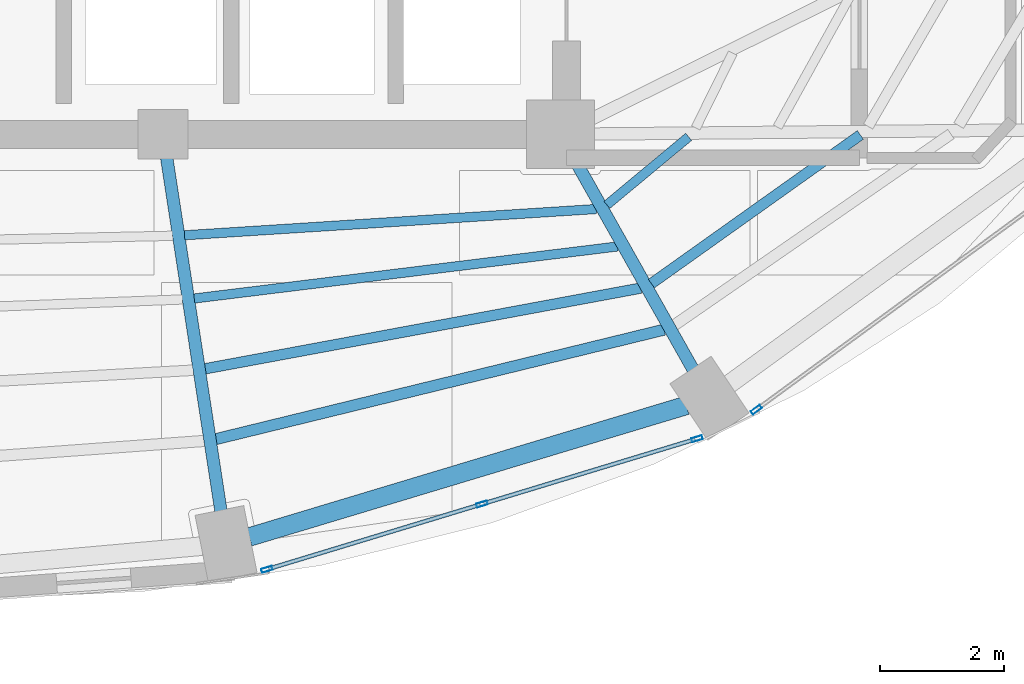
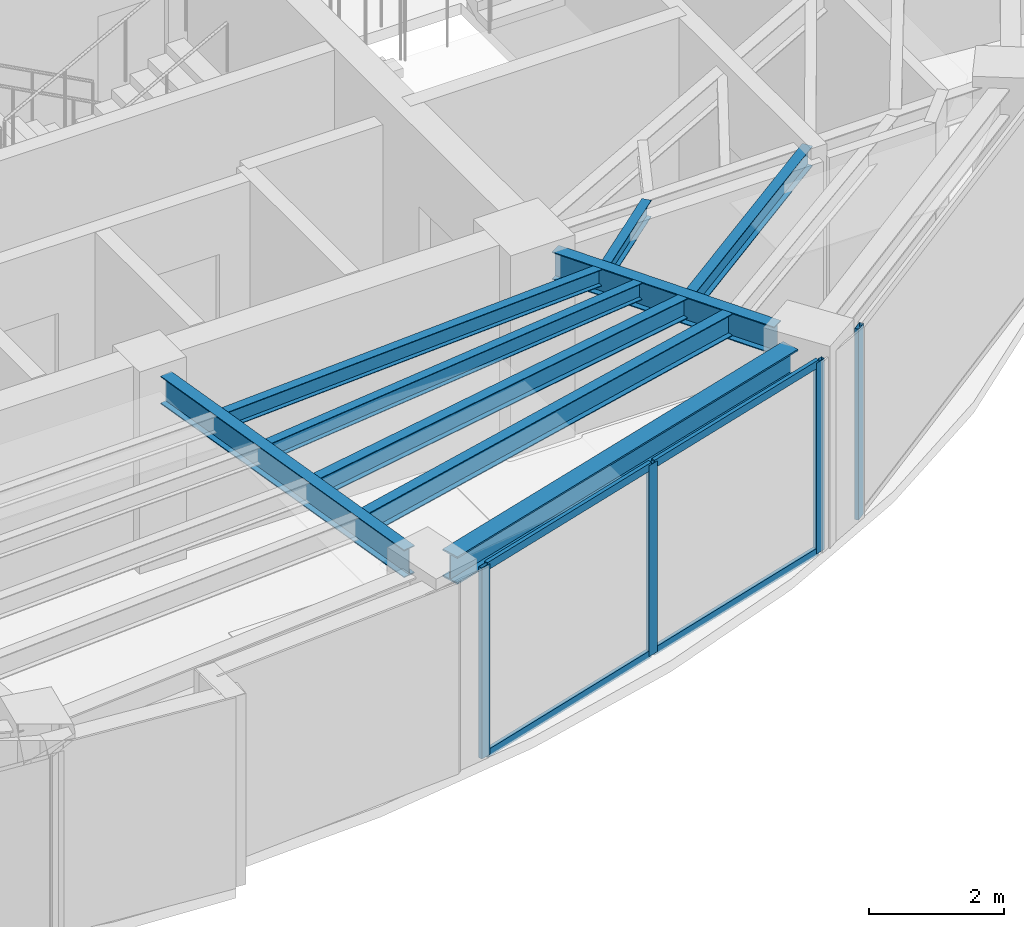
# One storey, part 2 of 15: 9 beams, 8 members, 2 elements without a shape of their own.
"""IFC4 building model written with IfcOpenShell, lengths in metres."""

import ifcopenshell
import ifcopenshell.guid

model = None  # the IFC model being written
_history = None  # IfcOwnerHistory: only IFC2X3 demands one
_inside = {}  # id of a spatial element -> (the spatial element, [elements in it])
_under = {}  # id of a project, library or spatial element -> (it, [spatial elements below it])
_declared = {}  # id of a project -> (the project, [libraries it declares])
_typed = {}  # id of a type object -> (the type object, [elements of that type])
_made_of = {}  # id of a material, layer set ... -> (it, [elements and type objects made of it])


def new_model(schema):
    """Start an empty IFC model of exactly this schema.

    Asked for "IFC4X3", IfcOpenShell would pick the latest addendum, in which some entities
    have other attributes; the version numbers below select the first issue.
    IFC2X3 requires an IfcOwnerHistory on every rooted entity: one is made here for all.
    """
    global model, _history
    if schema == "IFC4X3":
        model = ifcopenshell.file(schema_version=(4, 3, 0, 0))
    else:
        model = ifcopenshell.file(schema=schema)
    _inside.clear()
    _under.clear()
    _declared.clear()
    _typed.clear()
    _made_of.clear()
    _history = None
    if model.schema == "IFC2X3":
        org = make("IfcOrganization", Name="unknown")
        user = make(
            "IfcPersonAndOrganization",
            ThePerson=make("IfcPerson", FamilyName="unknown"),
            TheOrganization=org,
        )
        app = make(
            "IfcApplication",
            ApplicationDeveloper=org,
            Version="unknown",
            ApplicationFullName="unknown",
            ApplicationIdentifier="unknown",
        )
        _history = make(
            "IfcOwnerHistory",
            OwningUser=user,
            OwningApplication=app,
            ChangeAction="ADDED",
            CreationDate=0,
        )
    return model


def make(cls, **values):
    """One entity of the class cls with the attributes given. An attribute that is None is left unset."""
    return model.create_entity(
        cls, **{name: value for name, value in values.items() if value is not None}
    )


def rooted(cls, **values):
    """An entity with a GlobalId (a new one), such as an element, a storey or a relation."""
    return make(cls, GlobalId=ifcopenshell.guid.new(), OwnerHistory=_history, **values)


def si_unit(unit_type, name, prefix=None):
    """IfcSIUnit, for example si_unit("LENGTHUNIT", "METRE", prefix="MILLI")."""
    return make("IfcSIUnit", UnitType=unit_type, Prefix=prefix, Name=name)


def assignment(units):
    """IfcUnitAssignment: the units of a project."""
    return None if units is None else make("IfcUnitAssignment", Units=units)


def point(xyz):
    """IfcCartesianPoint."""
    return None if xyz is None else make("IfcCartesianPoint", Coordinates=xyz)


def direction(xyz):
    """IfcDirection."""
    return None if xyz is None else make("IfcDirection", DirectionRatios=xyz)


def frame(location, z_axis=None, x_axis=None):
    """IfcAxis2Placement3D, a coordinate frame: its origin and axes. An axis left out is left unset."""
    return make(
        "IfcAxis2Placement3D",
        Location=point(location),
        Axis=direction(z_axis),
        RefDirection=direction(x_axis),
    )


def frame_2d(location, x_axis=None):
    """IfcAxis2Placement2D, a coordinate frame in the plane: its origin and x axis."""
    return make(
        "IfcAxis2Placement2D", Location=point(location), RefDirection=direction(x_axis)
    )


def origin():
    """The frame at (0, 0, 0) with its axes left unset."""
    return frame((0.0, 0.0, 0.0))


def origin_2d():
    """The frame at (0, 0) in the plane with its x axis left unset."""
    return frame_2d((0.0, 0.0))


def place(relative_to, where):
    """IfcLocalPlacement: puts the frame where relative to a parent placement (None: the world)."""
    return make(
        "IfcLocalPlacement", PlacementRelTo=relative_to, RelativePlacement=where
    )


def context(
    kind, dimensions, precision=None, world=None, true_north=None, identifier=None
):
    """IfcGeometricRepresentationContext, for example the 3D "Model" context."""
    return make(
        "IfcGeometricRepresentationContext",
        ContextIdentifier=identifier,
        ContextType=kind,
        CoordinateSpaceDimension=dimensions,
        Precision=precision,
        WorldCoordinateSystem=world,
        TrueNorth=true_north,
    )


def subcontext(parent, identifier, kind, view, scale=None):
    """IfcGeometricRepresentationSubContext, for example "Body" below "Model"."""
    return make(
        "IfcGeometricRepresentationSubContext",
        ContextIdentifier=identifier,
        ContextType=kind,
        ParentContext=parent,
        TargetScale=scale,
        TargetView=view,
    )


def project(units=None, contexts=None):
    """IfcProject with its units and contexts."""
    return rooted(
        "IfcProject",
        Name="project",
        RepresentationContexts=contexts,
        UnitsInContext=assignment(units),
    )


def spatial(cls, under=None, at=None, **own):
    """A site, building, storey or space (cls), placed at a placement, below another one or the project."""
    s = rooted(cls, ObjectPlacement=at, **own)
    if under is not None:
        _under.setdefault(under.id(), (under, []))[1].append(s)
    return s


def profile(cls, at=None, kind="AREA", **sizes):
    """A parametric profile (cls). Its sizes go by their IFC names, for example OverallWidth=200.0."""
    return make(cls, ProfileType=kind, Position=at, **sizes)


def hollow_rectangle(**sizes):
    """IfcRectangleHollowProfileDef."""
    return profile("IfcRectangleHollowProfileDef", **sizes)


def i_section(**sizes):
    """IfcIShapeProfileDef."""
    return profile("IfcIShapeProfileDef", **sizes)


def extrude(swept, where, along, depth):
    """IfcExtrudedAreaSolid: the profile swept, set in the frame where, extruded along a direction by depth."""
    return make(
        "IfcExtrudedAreaSolid",
        SweptArea=swept,
        Position=where,
        ExtrudedDirection=direction(along),
        Depth=depth,
    )


def shape(context_of_items, identifier, shape_type, items):
    """IfcShapeRepresentation: the items that make up one representation, for example the "Body"."""
    return make(
        "IfcShapeRepresentation",
        ContextOfItems=context_of_items,
        RepresentationIdentifier=identifier,
        RepresentationType=shape_type,
        Items=items,
    )


def material(Name=None, Category=None):
    """IfcMaterial."""
    return make("IfcMaterial", Name=Name, Category=Category)


def layer(
    of_material, thickness, ventilated=None, Name=None, Category=None, Priority=None
):
    """IfcMaterialLayer: one layer of a wall or slab, of a material (None: an air gap)."""
    return make(
        "IfcMaterialLayer",
        Material=of_material,
        LayerThickness=thickness,
        IsVentilated=ventilated,
        Name=Name,
        Category=Category,
        Priority=Priority,
    )


def layer_set(layers, Name=None):
    """IfcMaterialLayerSet."""
    return make("IfcMaterialLayerSet", MaterialLayers=layers, LayerSetName=Name)


def material_profile(
    of_material, cross_section, Name=None, Category=None, Priority=None
):
    """IfcMaterialProfile: a cross section and its material."""
    return make(
        "IfcMaterialProfile",
        Name=Name,
        Material=of_material,
        Profile=cross_section,
        Priority=Priority,
        Category=Category,
    )


def profile_set(profiles, Name=None, composite=None):
    """IfcMaterialProfileSet."""
    return make(
        "IfcMaterialProfileSet",
        Name=Name,
        MaterialProfiles=profiles,
        CompositeProfile=composite,
    )


def made_of(thing, what):
    """Note that an element or type object is made of a material, layer set ...; save() writes the relation."""
    if what is not None:
        _made_of.setdefault(what.id(), (what, []))[1].append(thing)
    return thing


def type_object(cls, material=None, **own):
    """A type object (cls), such as IfcWallType, which elements share."""
    return made_of(rooted(cls, **own), material)


def element(
    cls,
    number,
    at=None,
    inside=None,
    cuts=None,
    type_object=None,
    material=None,
    context=None,
    identifier="Body",
    shape_type=None,
    held_by="IfcProductDefinitionShape",
    body=None,
    shapes=None,
    **own,
):
    """One element of the class cls, such as IfcWall. Its Tag is "e" and its number.

    at: its placement. inside: the storey or other place that contains it. cuts: it is an
    opening in that element (IfcRelVoidsElement). A single representation is given by context,
    identifier, shape_type and body (its items); several are given by shapes. held_by: the class
    of the entity that holds the representations. save() writes the other relations.
    """
    e = rooted(cls, Tag="e%d" % number, ObjectPlacement=at, **own)
    if body is not None:
        shapes = [shape(context, identifier, shape_type, body)]
    if shapes is not None:
        e.Representation = make(held_by, Representations=shapes)
    if inside is not None:
        _inside.setdefault(inside.id(), (inside, []))[1].append(e)
    if cuts is not None:
        rooted(
            "IfcRelVoidsElement", RelatingBuildingElement=cuts, RelatedOpeningElement=e
        )
    if type_object is not None:
        _typed.setdefault(type_object.id(), (type_object, []))[1].append(e)
    return made_of(e, material)


def aggregate(whole, parts):
    """IfcRelAggregates: a whole, such as a stair, and the parts it consists of."""
    return rooted("IfcRelAggregates", RelatingObject=whole, RelatedObjects=parts)


def save(model, path):
    """Write the relations noted so far, then the file.

    IfcRelAggregates (storeys below a building ...), IfcRelContainedInSpatialStructure (elements
    in a storey), IfcRelDefinesByType, IfcRelAssociatesMaterial and IfcRelDeclares: one each for
    every whole, place, type object, material and project.
    """
    for whole, parts in _under.values():
        aggregate(whole, parts)
    for where, things in _inside.values():
        rooted(
            "IfcRelContainedInSpatialStructure",
            RelatedElements=things,
            RelatingStructure=where,
        )
    for kind, things in _typed.values():
        rooted("IfcRelDefinesByType", RelatedObjects=things, RelatingType=kind)
    for what, things in _made_of.values():
        rooted("IfcRelAssociatesMaterial", RelatedObjects=things, RelatingMaterial=what)
    for by, libraries in _declared.values():
        rooted("IfcRelDeclares", RelatingContext=by, RelatedDefinitions=libraries)
    model.write(path)


model = new_model("IFC4")

# Units and contexts
model_context = context("Model", 3, precision=1e-05, world=origin(), true_north=direction((0.0, 1.0)))
body_context = subcontext(model_context, "Body", "Model", "MODEL_VIEW")
ifc_project = project(units=[si_unit("LENGTHUNIT", "METRE"), si_unit("AREAUNIT", "SQUARE_METRE"), si_unit("VOLUMEUNIT", "CUBIC_METRE"), si_unit("PLANEANGLEUNIT", "RADIAN"), si_unit("MASSUNIT", "GRAM", prefix="KILO")], contexts=[model_context])

# Site, building, storey
site_placement = place(None, origin())
site = spatial("IfcSite", under=ifc_project, at=site_placement, CompositionType="ELEMENT")
building_placement = place(site_placement, origin())
building = spatial("IfcBuilding", under=site, at=building_placement, Name="Lazwardi Medical Tower", CompositionType="ELEMENT")
storey_placement = place(building_placement, frame((0.0, 0.0, 280.56005859375)))
storey = spatial("IfcBuildingStorey", under=building, at=storey_placement, Name="L73", CompositionType="ELEMENT", Elevation=280.56005859375)

# Beams
ifc_material_1 = material(Name="Steel S355", Category="steel")
ifc_material_profile_1 = material_profile(ifc_material_1, i_section(OverallWidth=0.300048828125, OverallDepth=0.5, WebThickness=0.014404296875, FlangeThickness=0.028076171875, at=origin_2d()), Name="HEB 500")
ifc_profile_set_1 = profile_set([ifc_material_profile_1], Name="Steel S355")
beam_type_1 = type_object("IfcBeamType", Name="BM-RB-Z4", PredefinedType="BEAM", material=ifc_profile_set_1)
beam_1_placement = place(storey_placement, frame((40.58740234375, 13.9140625, 3.197998046875), z_axis=(0.957544311906, 0.288286126506, 0.0), x_axis=(-0.288286126506, 0.957544311906, 0.0)))
element("IfcBeam", 1, at=beam_1_placement, inside=storey, type_object=beam_type_1, Name="Ring beam RB-05 B01 L73", PredefinedType="BEAM", context=body_context, shape_type="SweptSolid", body=[
    extrude(i_section(OverallWidth=0.300048828125, OverallDepth=0.5, WebThickness=0.014404296875, FlangeThickness=0.028076171875, at=origin_2d()), origin(), (0.0, 0.0, 1.0), 7.3515625),
])
ifc_material_profile_2 = material_profile(ifc_material_1, i_section(OverallWidth=0.199951171875, OverallDepth=0.5, WebThickness=0.01025390625, FlangeThickness=0.01611328125, at=origin_2d()), Name="IPE 500")
ifc_profile_set_2 = profile_set([ifc_material_profile_2], Name="Steel S355")
beam_type_2 = type_object("IfcBeamType", Name="BM-RG-W3", PredefinedType="BEAM", material=ifc_profile_set_2)
beam_2_placement = place(storey_placement, frame((40.1328125, 14.33056640625, 3.197998046875), z_axis=(-0.151894625259, 0.988396693043, 0.0), x_axis=(-0.988396693043, -0.151894625259, 0.0)))
element("IfcBeam", 2, at=beam_2_placement, inside=storey, type_object=beam_type_2, Name="Radial girder RG-04 R01 L73", PredefinedType="BEAM", context=body_context, shape_type="SweptSolid", body=[
    extrude(i_section(OverallWidth=0.199951171875, OverallDepth=0.5, WebThickness=0.01025390625, FlangeThickness=0.01611328125, at=origin_2d()), origin(), (0.0, 0.0, 1.0), 5.755859375),
])
beam_3_placement = place(storey_placement, frame((47.7373046875, 16.61181640625, 3.197998046875), z_axis=(-0.491403349237, 0.870932114667, 0.0), x_axis=(-0.870932114667, -0.491403349237, 0.0)))
element("IfcBeam", 3, at=beam_3_placement, inside=storey, type_object=beam_type_2, Name="Radial girder RG-04 R02 L73", PredefinedType="BEAM", context=body_context, shape_type="SweptSolid", body=[
    extrude(i_section(OverallWidth=0.199951171875, OverallDepth=0.5, WebThickness=0.01025390625, FlangeThickness=0.01611328125, at=origin_2d()), origin(), (0.0, 0.0, 1.0), 3.814697265625),
])
ifc_material_profile_3 = material_profile(ifc_material_1, i_section(OverallWidth=0.179931640625, OverallDepth=0.39990234375, WebThickness=0.008544921875, FlangeThickness=0.013427734375, at=origin_2d()), Name="IPE 400")
ifc_profile_set_3 = profile_set([ifc_material_profile_3], Name="Steel S355")
beam_type_3 = type_object("IfcBeamType", Name="BM-SJ-01", PredefinedType="JOIST", material=ifc_profile_set_3)
beam_4_placement = place(storey_placement, frame((40.050048828125, 15.49072265625, 3.248046875), z_axis=(0.971461103721, 0.237198912219, 0.0), x_axis=(-0.237198912219, 0.971461103721, 0.0)))
element("IfcBeam", 4, at=beam_4_placement, inside=storey, type_object=beam_type_3, Name="Secondary joist SJ-01 R1 B01 L73", PredefinedType="JOIST", context=body_context, shape_type="SweptSolid", body=[
    extrude(i_section(OverallWidth=0.179931640625, OverallDepth=0.39990234375, WebThickness=0.008544921875, FlangeThickness=0.013427734375, at=origin_2d()), origin(), (0.0, 0.0, 1.0), 7.432373046875),
])
ifc_material_profile_4 = material_profile(ifc_material_1, i_section(OverallWidth=0.169921875, OverallDepth=0.360107421875, WebThickness=0.008056640625, FlangeThickness=0.0126953125, at=origin_2d()), Name="IPE 360")
ifc_profile_set_4 = profile_set([ifc_material_profile_4], Name="Steel S355")
beam_type_4 = type_object("IfcBeamType", Name="BM-SJ-02", PredefinedType="JOIST", material=ifc_profile_set_4)
beam_5_placement = place(storey_placement, frame((39.87646484375, 16.623291015625, 3.267822265625), z_axis=(0.983270661344, 0.182150505189, 0.0), x_axis=(-0.182150505189, 0.983270661344, 0.0)))
element("IfcBeam", 5, at=beam_5_placement, inside=storey, type_object=beam_type_4, Name="Secondary joist SJ-02 R2 B01 L73", PredefinedType="JOIST", context=body_context, shape_type="SweptSolid", body=[
    extrude(i_section(OverallWidth=0.169921875, OverallDepth=0.360107421875, WebThickness=0.008056640625, FlangeThickness=0.0126953125, at=origin_2d()), origin(), (0.0, 0.0, 1.0), 7.13720703125),
])
beam_6_placement = place(storey_placement, frame((47.06494140625, 17.995849609375, 3.267822265625), z_axis=(0.814885852348, 0.579621469274, 0.0), x_axis=(-0.579621469274, 0.814885852348, 0.0)))
element("IfcBeam", 6, at=beam_6_placement, inside=storey, type_object=beam_type_4, Name="Secondary joist SJ-02 R2 B02 L73", PredefinedType="JOIST", context=body_context, shape_type="SweptSolid", body=[
    extrude(i_section(OverallWidth=0.169921875, OverallDepth=0.360107421875, WebThickness=0.008056640625, FlangeThickness=0.0126953125, at=origin_2d()), origin(), (0.0, 0.0, 1.0), 4.131103515625),
])
ifc_material_profile_5 = material_profile(ifc_material_1, i_section(OverallWidth=0.14990234375, OverallDepth=0.300048828125, WebThickness=0.007080078125, FlangeThickness=0.0107421875, at=origin_2d()), Name="IPE 300")
ifc_profile_set_5 = profile_set([ifc_material_profile_5], Name="Steel S355")
beam_type_5 = type_object("IfcBeamType", Name="BM-SJ-03", PredefinedType="JOIST", material=ifc_profile_set_5)
beam_7_placement = place(storey_placement, frame((39.702392578125, 17.755615234375, 3.2978515625), z_axis=(0.992528507109, 0.122012960685, 0.0), x_axis=(-0.122012960685, 0.992528507109, 0.0)))
element("IfcBeam", 7, at=beam_7_placement, inside=storey, type_object=beam_type_5, Name="Secondary joist SJ-03 R3 B01 L73", PredefinedType="JOIST", context=body_context, shape_type="SweptSolid", body=[
    extrude(i_section(OverallWidth=0.14990234375, OverallDepth=0.300048828125, WebThickness=0.007080078125, FlangeThickness=0.0107421875, at=origin_2d()), origin(), (0.0, 0.0, 1.0), 6.8671875),
])
beam_8_placement = place(storey_placement, frame((39.545654296875, 18.77392578125, 3.2978515625), z_axis=(0.997972905644, 0.063640235704, 0.0), x_axis=(-0.063640235704, 0.997972905644, 0.0)))
element("IfcBeam", 8, at=beam_8_placement, inside=storey, type_object=beam_type_5, Name="Secondary joist SJ-03 R4 B01 L73", PredefinedType="JOIST", context=body_context, shape_type="SweptSolid", body=[
    extrude(i_section(OverallWidth=0.14990234375, OverallDepth=0.300048828125, WebThickness=0.007080078125, FlangeThickness=0.0107421875, at=origin_2d()), origin(), (0.0, 0.0, 1.0), 6.648193359375),
])
beam_9_placement = place(storey_placement, frame((46.348388671875, 19.263916015625, 3.2978515625), z_axis=(0.768968334056, 0.639286869269, 0.0), x_axis=(-0.639286869269, 0.768968334056, 0.0)))
element("IfcBeam", 9, at=beam_9_placement, inside=storey, type_object=beam_type_5, Name="Secondary joist SJ-03 R4 B02 L73", PredefinedType="JOIST", context=body_context, shape_type="SweptSolid", body=[
    extrude(i_section(OverallWidth=0.14990234375, OverallDepth=0.300048828125, WebThickness=0.007080078125, FlangeThickness=0.0107421875, at=origin_2d()), origin(), (0.0, 0.0, 1.0), 1.713134765625),
])

# Curtain wall, members
ifc_material_2 = material(Name="Anodised bronze aluminium and solar control glazing", Category="aluminium")
ifc_layer = layer(ifc_material_2, 0.18994140625)
ifc_layer_set = layer_set([ifc_layer], Name="Anodised bronze aluminium and solar control glazing")
curtain_wall_type = type_object("IfcCurtainWallType", Name="CW-SYS-04", PredefinedType="NOTDEFINED", material=ifc_layer_set)
curtain_wall_1_placement = place(storey_placement, origin())
curtain_wall_1 = element("IfcCurtainWall", 10, at=curtain_wall_1_placement, inside=storey, type_object=curtain_wall_type, Name="L73 Unitised bronze curtain wall CW-04", PredefinedType="NOTDEFINED")
ifc_material_3 = material(Name="Anodised bronze aluminium", Category="aluminium")
ifc_material_profile_6 = material_profile(ifc_material_3, hollow_rectangle(XDim=0.06494140625, YDim=0.179931640625, WallThickness=0.00390625, at=origin_2d()), Name="ALU-MULLION 180x65x4")
ifc_profile_set_6 = profile_set([ifc_material_profile_6], Name="Anodised bronze aluminium")
member_type_1 = type_object("IfcMemberType", Name="CW-MUL-03", PredefinedType="MULLION", material=ifc_profile_set_6)
member_1_placement = place(storey_placement, frame((40.873046875, 13.392822265625, 0.0), z_axis=(0.0, 0.0, 1.0), x_axis=(-0.290581889515, 0.956850126972, 0.0)))
member_1 = element("IfcMember", 11, at=member_1_placement, type_object=member_type_1, Name="CW-04 mullion 1", PredefinedType="MULLION", context=body_context, shape_type="SweptSolid", body=[
    extrude(hollow_rectangle(XDim=0.06494140625, YDim=0.179931640625, WallThickness=0.00390625, at=origin_2d()), origin(), (0.0, 0.0, 1.0), 3.447998046875),
])
member_2_placement = place(storey_placement, frame((44.33642578125, 14.444580078125, 0.0), z_axis=(0.0, 0.0, 1.0), x_axis=(-0.290581889515, 0.956850126972, 0.0)))
member_2 = element("IfcMember", 12, at=member_2_placement, type_object=member_type_1, Name="CW-04 mullion 2", PredefinedType="MULLION", context=body_context, shape_type="SweptSolid", body=[
    extrude(hollow_rectangle(XDim=0.06494140625, YDim=0.179931640625, WallThickness=0.00390625, at=origin_2d()), origin(), (0.0, 0.0, 1.0), 3.447998046875),
])
member_3_placement = place(storey_placement, frame((47.7998046875, 15.496337890625, 0.0), z_axis=(0.0, 0.0, 1.0), x_axis=(-0.290581889515, 0.956850126972, 0.0)))
member_3 = element("IfcMember", 13, at=member_3_placement, type_object=member_type_1, Name="CW-04 mullion 3", PredefinedType="MULLION", context=body_context, shape_type="SweptSolid", body=[
    extrude(hollow_rectangle(XDim=0.06494140625, YDim=0.179931640625, WallThickness=0.00390625, at=origin_2d()), origin(), (0.0, 0.0, 1.0), 3.447998046875),
])

# Curtain wall, member
curtain_wall_2_placement = place(storey_placement, origin())
curtain_wall_2 = element("IfcCurtainWall", 14, at=curtain_wall_2_placement, inside=storey, type_object=curtain_wall_type, Name="L73 Unitised bronze curtain wall CW-04", PredefinedType="NOTDEFINED")
member_4_placement = place(storey_placement, frame((48.75537109375, 15.965087890625, 0.0), z_axis=(0.0, 0.0, 1.0), x_axis=(-0.591268230971, 0.806474971121, 0.0)))
member_4 = element("IfcMember", 15, at=member_4_placement, type_object=member_type_1, Name="CW-04 mullion 1", PredefinedType="MULLION", context=body_context, shape_type="SweptSolid", body=[
    extrude(hollow_rectangle(XDim=0.06494140625, YDim=0.179931640625, WallThickness=0.00390625, at=origin_2d()), origin(), (0.0, 0.0, 1.0), 3.447998046875),
])
aggregate(curtain_wall_2, [member_4])

# Member
ifc_material_profile_7 = material_profile(ifc_material_3, hollow_rectangle(XDim=0.06494140625, YDim=0.139892578125, WallThickness=0.00341796875, at=origin_2d()), Name="ALU-TRANSOM 140x65x3.5")
ifc_profile_set_7 = profile_set([ifc_material_profile_7], Name="Anodised bronze aluminium")
member_type_2 = type_object("IfcMemberType", Name="CW-TRN-03", PredefinedType="USERDEFINED", material=ifc_profile_set_7)
member_5_placement = place(storey_placement, frame((40.904296875, 13.40234375, 0.032470703125), z_axis=(0.956843409009, 0.290604010015, 0.0), x_axis=(-0.290604010015, 0.956843409009, 0.0)))
member_5 = element("IfcMember", 16, at=member_5_placement, type_object=member_type_2, Name="CW-04 transom 1.1", ObjectType="TRANSOM", PredefinedType="USERDEFINED", context=body_context, shape_type="SweptSolid", body=[
    extrude(hollow_rectangle(XDim=0.06494140625, YDim=0.139892578125, WallThickness=0.00341796875, at=origin_2d()), origin(), (0.0, 0.0, 1.0), 3.554443359375),
])

member_6_placement = place(storey_placement, frame((40.904296875, 13.40234375, 3.41552734375), z_axis=(0.956843409009, 0.290604010015, 0.0), x_axis=(-0.290604010015, 0.956843409009, 0.0)))
member_6 = element("IfcMember", 17, at=member_6_placement, type_object=member_type_2, Name="CW-04 transom 1.2", ObjectType="TRANSOM", PredefinedType="USERDEFINED", context=body_context, shape_type="SweptSolid", body=[
    extrude(hollow_rectangle(XDim=0.06494140625, YDim=0.139892578125, WallThickness=0.00341796875, at=origin_2d()), origin(), (0.0, 0.0, 1.0), 3.554443359375),
])

member_7_placement = place(storey_placement, frame((44.367431640625, 14.4541015625, 0.032470703125), z_axis=(0.956843409009, 0.290604010015, 0.0), x_axis=(-0.290604010015, 0.956843409009, 0.0)))
member_7 = element("IfcMember", 18, at=member_7_placement, type_object=member_type_2, Name="CW-04 transom 2.1", ObjectType="TRANSOM", PredefinedType="USERDEFINED", context=body_context, shape_type="SweptSolid", body=[
    extrude(hollow_rectangle(XDim=0.06494140625, YDim=0.139892578125, WallThickness=0.00341796875, at=origin_2d()), origin(), (0.0, 0.0, 1.0), 3.554443359375),
])

member_8_placement = place(storey_placement, frame((44.367431640625, 14.4541015625, 3.41552734375), z_axis=(0.956843409009, 0.290604010015, 0.0), x_axis=(-0.290604010015, 0.956843409009, 0.0)))
member_8 = element("IfcMember", 19, at=member_8_placement, type_object=member_type_2, Name="CW-04 transom 2.2", ObjectType="TRANSOM", PredefinedType="USERDEFINED", context=body_context, shape_type="SweptSolid", body=[
    extrude(hollow_rectangle(XDim=0.06494140625, YDim=0.139892578125, WallThickness=0.00341796875, at=origin_2d()), origin(), (0.0, 0.0, 1.0), 3.554443359375),
])

aggregate(curtain_wall_1, [member_1, member_2, member_3, member_5, member_6, member_7, member_8])

save(model, "model.ifc")
